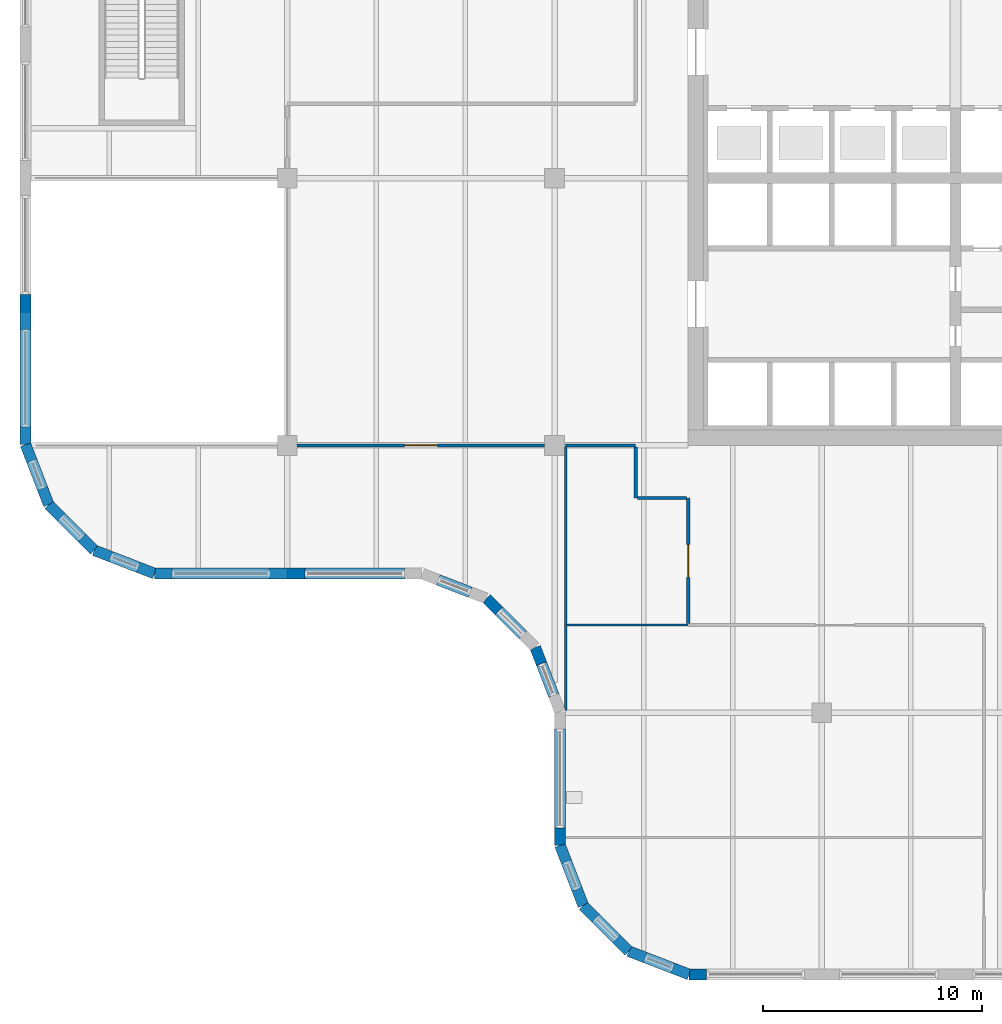
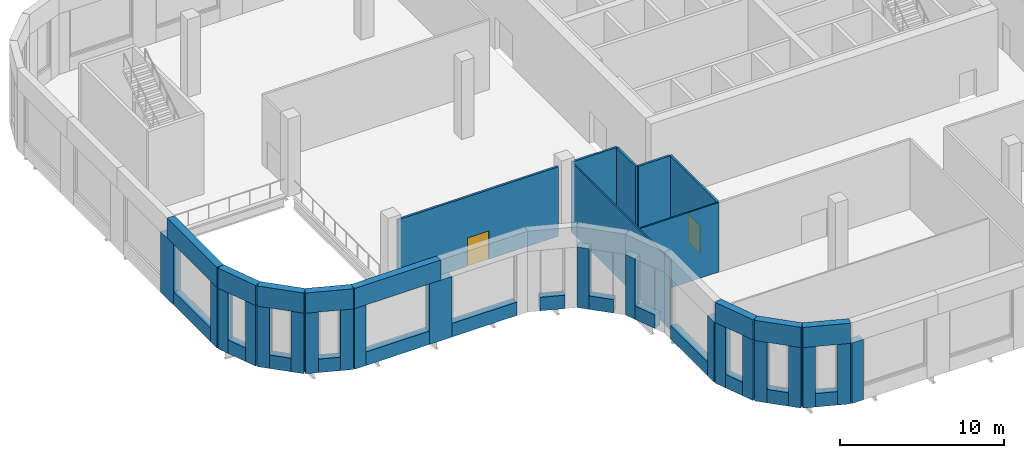
# One storey, part 20 of 36: 48 walls, 2 doors, 2 openings.
"""IFC4 building model written with IfcOpenShell, lengths in metres."""

import ifcopenshell
import ifcopenshell.guid

model = None  # the IFC model being written
_history = None  # IfcOwnerHistory: only IFC2X3 demands one
_inside = {}  # id of a spatial element -> (the spatial element, [elements in it])
_under = {}  # id of a project, library or spatial element -> (it, [spatial elements below it])
_declared = {}  # id of a project -> (the project, [libraries it declares])
_typed = {}  # id of a type object -> (the type object, [elements of that type])
_made_of = {}  # id of a material, layer set ... -> (it, [elements and type objects made of it])


def new_model(schema):
    """Start an empty IFC model of exactly this schema.

    Asked for "IFC4X3", IfcOpenShell would pick the latest addendum, in which some entities
    have other attributes; the version numbers below select the first issue.
    IFC2X3 requires an IfcOwnerHistory on every rooted entity: one is made here for all.
    """
    global model, _history
    if schema == "IFC4X3":
        model = ifcopenshell.file(schema_version=(4, 3, 0, 0))
    else:
        model = ifcopenshell.file(schema=schema)
    _inside.clear()
    _under.clear()
    _declared.clear()
    _typed.clear()
    _made_of.clear()
    _history = None
    if model.schema == "IFC2X3":
        org = make("IfcOrganization", Name="unknown")
        user = make(
            "IfcPersonAndOrganization",
            ThePerson=make("IfcPerson", FamilyName="unknown"),
            TheOrganization=org,
        )
        app = make(
            "IfcApplication",
            ApplicationDeveloper=org,
            Version="unknown",
            ApplicationFullName="unknown",
            ApplicationIdentifier="unknown",
        )
        _history = make(
            "IfcOwnerHistory",
            OwningUser=user,
            OwningApplication=app,
            ChangeAction="ADDED",
            CreationDate=0,
        )
    return model


def make(cls, **values):
    """One entity of the class cls with the attributes given. An attribute that is None is left unset."""
    return model.create_entity(
        cls, **{name: value for name, value in values.items() if value is not None}
    )


def rooted(cls, **values):
    """An entity with a GlobalId (a new one), such as an element, a storey or a relation."""
    return make(cls, GlobalId=ifcopenshell.guid.new(), OwnerHistory=_history, **values)


def si_unit(unit_type, name, prefix=None):
    """IfcSIUnit, for example si_unit("LENGTHUNIT", "METRE", prefix="MILLI")."""
    return make("IfcSIUnit", UnitType=unit_type, Prefix=prefix, Name=name)


def assignment(units):
    """IfcUnitAssignment: the units of a project."""
    return None if units is None else make("IfcUnitAssignment", Units=units)


def point(xyz):
    """IfcCartesianPoint."""
    return None if xyz is None else make("IfcCartesianPoint", Coordinates=xyz)


def direction(xyz):
    """IfcDirection."""
    return None if xyz is None else make("IfcDirection", DirectionRatios=xyz)


def frame(location, z_axis=None, x_axis=None):
    """IfcAxis2Placement3D, a coordinate frame: its origin and axes. An axis left out is left unset."""
    return make(
        "IfcAxis2Placement3D",
        Location=point(location),
        Axis=direction(z_axis),
        RefDirection=direction(x_axis),
    )


def frame_2d(location, x_axis=None):
    """IfcAxis2Placement2D, a coordinate frame in the plane: its origin and x axis."""
    return make(
        "IfcAxis2Placement2D", Location=point(location), RefDirection=direction(x_axis)
    )


def origin():
    """The frame at (0, 0, 0) with its axes left unset."""
    return frame((0.0, 0.0, 0.0))


def place(relative_to, where):
    """IfcLocalPlacement: puts the frame where relative to a parent placement (None: the world)."""
    return make(
        "IfcLocalPlacement", PlacementRelTo=relative_to, RelativePlacement=where
    )


def context(
    kind, dimensions, precision=None, world=None, true_north=None, identifier=None
):
    """IfcGeometricRepresentationContext, for example the 3D "Model" context."""
    return make(
        "IfcGeometricRepresentationContext",
        ContextIdentifier=identifier,
        ContextType=kind,
        CoordinateSpaceDimension=dimensions,
        Precision=precision,
        WorldCoordinateSystem=world,
        TrueNorth=true_north,
    )


def subcontext(parent, identifier, kind, view, scale=None):
    """IfcGeometricRepresentationSubContext, for example "Body" below "Model"."""
    return make(
        "IfcGeometricRepresentationSubContext",
        ContextIdentifier=identifier,
        ContextType=kind,
        ParentContext=parent,
        TargetScale=scale,
        TargetView=view,
    )


def project(units=None, contexts=None):
    """IfcProject with its units and contexts."""
    return rooted(
        "IfcProject",
        Name="project",
        RepresentationContexts=contexts,
        UnitsInContext=assignment(units),
    )


def spatial(cls, under=None, at=None, **own):
    """A site, building, storey or space (cls), placed at a placement, below another one or the project."""
    s = rooted(cls, ObjectPlacement=at, **own)
    if under is not None:
        _under.setdefault(under.id(), (under, []))[1].append(s)
    return s


def polyline(points):
    """IfcPolyline through the points."""
    return make("IfcPolyline", Points=[point(p) for p in points])


def profile(cls, at=None, kind="AREA", **sizes):
    """A parametric profile (cls). Its sizes go by their IFC names, for example OverallWidth=200.0."""
    return make(cls, ProfileType=kind, Position=at, **sizes)


def rectangle(**sizes):
    """IfcRectangleProfileDef."""
    return profile("IfcRectangleProfileDef", **sizes)


def outline(outer, holes=None, kind="AREA"):
    """IfcArbitraryClosedProfileDef: a profile drawn as a closed curve; with holes, ...WithVoids."""
    if holes is None:
        return make("IfcArbitraryClosedProfileDef", ProfileType=kind, OuterCurve=outer)
    return make(
        "IfcArbitraryProfileDefWithVoids",
        ProfileType=kind,
        OuterCurve=outer,
        InnerCurves=holes,
    )


def extrude(swept, where, along, depth):
    """IfcExtrudedAreaSolid: the profile swept, set in the frame where, extruded along a direction by depth."""
    return make(
        "IfcExtrudedAreaSolid",
        SweptArea=swept,
        Position=where,
        ExtrudedDirection=direction(along),
        Depth=depth,
    )


def faces_of(points, faces, orient=None, outer=None):
    """IfcFace entities. A face is a list of loops; a loop is a list of indices into points, from 0.

    orient and outer hold one flag for each loop. By default every Orientation is true, the
    first loop of a face is its IfcFaceOuterBound and the others are IfcFaceBound.
    """
    made = []
    for i, loops in enumerate(faces):
        bounds = []
        for j, loop in enumerate(loops):
            is_outer = j == 0 if outer is None else outer[i][j]
            bounds.append(
                make(
                    "IfcFaceOuterBound" if is_outer else "IfcFaceBound",
                    Bound=make("IfcPolyLoop", Polygon=[points[k] for k in loop]),
                    Orientation=True if orient is None else orient[i][j],
                )
            )
        made.append(make("IfcFace", Bounds=bounds))
    return made


def faceted_brep(points, faces, orient=None, outer=None, voids=None):
    """IfcFacetedBrep: a solid bounded by flat faces; with voids (closed shells), ...WithVoids."""
    shared = [point(p) for p in points]
    hull = make("IfcClosedShell", CfsFaces=faces_of(shared, faces, orient, outer))
    if voids is None:
        return make("IfcFacetedBrep", Outer=hull)
    return make(
        "IfcFacetedBrepWithVoids",
        Outer=hull,
        Voids=[
            make(cls, CfsFaces=faces_of(shared, fs, o, b)) for cls, fs, o, b in voids
        ],
    )


def shape(context_of_items, identifier, shape_type, items):
    """IfcShapeRepresentation: the items that make up one representation, for example the "Body"."""
    return make(
        "IfcShapeRepresentation",
        ContextOfItems=context_of_items,
        RepresentationIdentifier=identifier,
        RepresentationType=shape_type,
        Items=items,
    )


def source(mapping_origin, context_of_items, identifier, shape_type, items):
    """IfcRepresentationMap: a shape defined once, which mapped items show again and again."""
    return make(
        "IfcRepresentationMap",
        MappingOrigin=mapping_origin,
        MappedRepresentation=shape(context_of_items, identifier, shape_type, items),
    )


def transform(
    local_origin,
    x_axis=None,
    y_axis=None,
    z_axis=None,
    scale=None,
    scale2=None,
    scale3=None,
    uniform=True,
):
    """IfcCartesianTransformationOperator3D, or its non-uniform kind. x_axis, y_axis, z_axis: its Axis1, 2, 3."""
    if uniform:
        return make(
            "IfcCartesianTransformationOperator3D",
            Axis1=direction(x_axis),
            Axis2=direction(y_axis),
            LocalOrigin=point(local_origin),
            Scale=scale,
            Axis3=direction(z_axis),
        )
    return make(
        "IfcCartesianTransformationOperator3DnonUniform",
        Axis1=direction(x_axis),
        Axis2=direction(y_axis),
        LocalOrigin=point(local_origin),
        Scale=scale,
        Axis3=direction(z_axis),
        Scale2=scale2,
        Scale3=scale3,
    )


def mapped(mapping_source, mapping_target):
    """IfcMappedItem: shows the shape of a source again, moved by a transform."""
    return make(
        "IfcMappedItem", MappingSource=mapping_source, MappingTarget=mapping_target
    )


def material(Name=None, Category=None):
    """IfcMaterial."""
    return make("IfcMaterial", Name=Name, Category=Category)


def layer(
    of_material, thickness, ventilated=None, Name=None, Category=None, Priority=None
):
    """IfcMaterialLayer: one layer of a wall or slab, of a material (None: an air gap)."""
    return make(
        "IfcMaterialLayer",
        Material=of_material,
        LayerThickness=thickness,
        IsVentilated=ventilated,
        Name=Name,
        Category=Category,
        Priority=Priority,
    )


def layer_set(layers, Name=None):
    """IfcMaterialLayerSet."""
    return make("IfcMaterialLayerSet", MaterialLayers=layers, LayerSetName=Name)


def made_of(thing, what):
    """Note that an element or type object is made of a material, layer set ...; save() writes the relation."""
    if what is not None:
        _made_of.setdefault(what.id(), (what, []))[1].append(thing)
    return thing


def type_object(cls, material=None, **own):
    """A type object (cls), such as IfcWallType, which elements share."""
    return made_of(rooted(cls, **own), material)


def element(
    cls,
    number,
    at=None,
    inside=None,
    cuts=None,
    type_object=None,
    material=None,
    context=None,
    identifier="Body",
    shape_type=None,
    held_by="IfcProductDefinitionShape",
    body=None,
    shapes=None,
    **own,
):
    """One element of the class cls, such as IfcWall. Its Tag is "e" and its number.

    at: its placement. inside: the storey or other place that contains it. cuts: it is an
    opening in that element (IfcRelVoidsElement). A single representation is given by context,
    identifier, shape_type and body (its items); several are given by shapes. held_by: the class
    of the entity that holds the representations. save() writes the other relations.
    """
    e = rooted(cls, Tag="e%d" % number, ObjectPlacement=at, **own)
    if body is not None:
        shapes = [shape(context, identifier, shape_type, body)]
    if shapes is not None:
        e.Representation = make(held_by, Representations=shapes)
    if inside is not None:
        _inside.setdefault(inside.id(), (inside, []))[1].append(e)
    if cuts is not None:
        rooted(
            "IfcRelVoidsElement", RelatingBuildingElement=cuts, RelatedOpeningElement=e
        )
    if type_object is not None:
        _typed.setdefault(type_object.id(), (type_object, []))[1].append(e)
    return made_of(e, material)


def fill(opening, filler):
    """IfcRelFillsElement: the door or window that sits in an opening."""
    return rooted(
        "IfcRelFillsElement",
        RelatingOpeningElement=opening,
        RelatedBuildingElement=filler,
    )


def aggregate(whole, parts):
    """IfcRelAggregates: a whole, such as a stair, and the parts it consists of."""
    return rooted("IfcRelAggregates", RelatingObject=whole, RelatedObjects=parts)


def save(model, path):
    """Write the relations noted so far, then the file.

    IfcRelAggregates (storeys below a building ...), IfcRelContainedInSpatialStructure (elements
    in a storey), IfcRelDefinesByType, IfcRelAssociatesMaterial and IfcRelDeclares: one each for
    every whole, place, type object, material and project.
    """
    for whole, parts in _under.values():
        aggregate(whole, parts)
    for where, things in _inside.values():
        rooted(
            "IfcRelContainedInSpatialStructure",
            RelatedElements=things,
            RelatingStructure=where,
        )
    for kind, things in _typed.values():
        rooted("IfcRelDefinesByType", RelatedObjects=things, RelatingType=kind)
    for what, things in _made_of.values():
        rooted("IfcRelAssociatesMaterial", RelatedObjects=things, RelatingMaterial=what)
    for by, libraries in _declared.values():
        rooted("IfcRelDeclares", RelatingContext=by, RelatedDefinitions=libraries)
    model.write(path)


model = new_model("IFC4")

# Units and contexts
model_context = context("Model", 3, precision=1e-05, world=origin(), true_north=direction((0.0, 1.0)))
body_context = subcontext(model_context, "Body", "Model", "MODEL_VIEW")
ifc_project = project(units=[si_unit("LENGTHUNIT", "METRE"), si_unit("AREAUNIT", "SQUARE_METRE"), si_unit("VOLUMEUNIT", "CUBIC_METRE"), si_unit("PLANEANGLEUNIT", "RADIAN"), si_unit("MASSUNIT", "GRAM", prefix="KILO")], contexts=[model_context])

# Site, building, storey
site_placement = place(None, origin())
site = spatial("IfcSite", under=ifc_project, at=site_placement, CompositionType="ELEMENT")
building_placement = place(site_placement, origin())
building = spatial("IfcBuilding", under=site, at=building_placement, Name="Tessera Gate Towers", CompositionType="ELEMENT")
storey_placement = place(building_placement, frame((0.0, 0.0, 106.60009765625)))
storey = spatial("IfcBuildingStorey", under=building, at=storey_placement, Name="L26", CompositionType="ELEMENT", Elevation=106.60009765625)

# Wall, opening, door
ifc_material_1 = material(Name="Gypsum board on steel studs, mineral wool", Category="steel")
ifc_layer_1 = layer(ifc_material_1, 0.14990234375)
ifc_layer_set_1 = layer_set([ifc_layer_1], Name="CORRIDOR WALL 150")
wall_type_1 = type_object("IfcWallType", Name="CORRIDOR WALL 150", PredefinedType="PARTITIONING", material=ifc_layer_set_1)
wall_1_placement = place(storey_placement, frame((30.5, 16.27587890625, 0.0), z_axis=(0.0, 0.0, 1.0), x_axis=(0.0, 1.0, 0.0)))
wall_1 = element("IfcWall", 1, at=wall_1_placement, inside=storey, type_object=wall_type_1, Name="T1-L26-PW-011", PredefinedType="PARTITIONING", context=body_context, shape_type="SweptSolid", body=[
    extrude(rectangle(XDim=5.72412109375, YDim=0.14990234375, at=frame_2d((2.862060546875, 0.0))), origin(), (0.0, 0.0, 1.0), 5.1669921875),
])
shared_shape_1 = source(origin(), body_context, "Body", "SweptSolid", [
    extrude(rectangle(XDim=1.5, YDim=2.10009765625, at=frame_2d((0.75, 1.050048828125))), frame((0.0, 0.0849609375, 0.0), z_axis=(0.0, -1.0, 0.0), x_axis=(1.0, 0.0, 0.0)), (0.0, 0.0, 1.0), 0.169921875),
])
opening_1_placement = place(wall_1_placement, frame((2.10009765625, 0.0, 0.0)))
opening_1 = element("IfcOpeningElement", 2, at=opening_1_placement, cuts=wall_1, Name="Opening D2150FD60-A33-01", PredefinedType="OPENING", context=body_context, shape_type="MappedRepresentation", body=[
    mapped(shared_shape_1, transform((0.0, 0.0, 0.0), scale=1.0)),
])
ifc_material_2 = material(Name="Timber door leaf in steel frame", Category="steel")
door_type = type_object("IfcDoorType", Name="TENANCY ENTRANCE DOOR 1500 FD60", OperationType="NOTDEFINED", PredefinedType="DOOR", material=ifc_material_2)
shared_shape_2 = source(origin(), body_context, "Body", "SweptSolid", [
    extrude(rectangle(XDim=1.5, YDim=2.10009765625, at=frame_2d((0.75, 1.050048828125))), frame((0.0, 0.02490234375, 0.0), z_axis=(0.0, -1.0, 0.0), x_axis=(1.0, 0.0, 0.0)), (0.0, 0.0, 1.0), 0.050048828125),
])
door_1_placement = place(opening_1_placement, origin())
door_1 = element("IfcDoor", 3, at=door_1_placement, inside=storey, type_object=door_type, Name="T1-L26-PD-001", OperationType="SINGLE_SWING_LEFT", OverallHeight=2.10009765625, OverallWidth=1.5, PredefinedType="DOOR", context=body_context, shape_type="MappedRepresentation", body=[
    mapped(shared_shape_2, transform((0.0, 0.0, 0.0), scale=1.0)),
])
fill(opening_1, door_1)

# Walls
wall_2_placement = place(storey_placement, frame((28.10009765625, 22.0, 0.0), z_axis=(0.0, 0.0, 1.0), x_axis=(0.0, 1.0, 0.0)))
element("IfcWall", 4, at=wall_2_placement, inside=storey, type_object=wall_type_1, Name="T1-L26-PW-013", PredefinedType="PARTITIONING", context=body_context, shape_type="SweptSolid", body=[
    extrude(rectangle(XDim=2.323974609375, YDim=0.14990234375, at=frame_2d((1.162109375, 0.0))), origin(), (0.0, 0.0, 1.0), 5.1669921875),
])
wall_3_placement = place(storey_placement, frame((28.176025390625, 22.0, 0.0), z_axis=(0.0, 0.0, 1.0), x_axis=(1.0, 0.0, 0.0)))
element("IfcWall", 5, at=wall_3_placement, inside=storey, type_object=wall_type_1, Name="T1-L26-PW-014", PredefinedType="PARTITIONING", context=body_context, shape_type="SweptSolid", body=[
    extrude(rectangle(XDim=2.248046875, YDim=0.14990234375, at=frame_2d((1.1240234375, 0.0))), origin(), (0.0, 0.0, 1.0), 5.1669921875),
])

# Wall, opening, door
wall_4_placement = place(storey_placement, frame((23.948974609375, 24.39990234375, 0.0), z_axis=(0.0, 0.0, 1.0), x_axis=(-1.0, 0.0, 0.0)))
wall_4 = element("IfcWall", 6, at=wall_4_placement, inside=storey, type_object=wall_type_1, Name="T1-L26-PW-015", PredefinedType="PARTITIONING", context=body_context, shape_type="SweptSolid", body=[
    extrude(rectangle(XDim=11.298095703125, YDim=0.14990234375, at=frame_2d((5.64892578125, 0.0))), origin(), (0.0, 0.0, 1.0), 5.1669921875),
])
opening_2_placement = place(wall_4_placement, frame((4.89794921875, 0.0, 0.0)))
opening_2 = element("IfcOpeningElement", 7, at=opening_2_placement, cuts=wall_4, Name="Opening D2150FD60-A33-02", PredefinedType="OPENING", context=body_context, shape_type="MappedRepresentation", body=[
    mapped(shared_shape_1, transform((0.0, 0.0, 0.0), scale=1.0)),
])
door_2_placement = place(opening_2_placement, origin())
door_2 = element("IfcDoor", 8, at=door_2_placement, inside=storey, type_object=door_type, Name="T1-L26-PD-010", OperationType="SINGLE_SWING_RIGHT", OverallHeight=2.10009765625, OverallWidth=1.5, PredefinedType="DOOR", context=body_context, shape_type="MappedRepresentation", body=[
    mapped(shared_shape_2, transform((0.0, 0.0, 0.0), scale=1.0)),
])
fill(opening_2, door_2)

# Walls
wall_5_placement = place(storey_placement, frame((24.89990234375, 24.39990234375, 0.0), z_axis=(0.0, 0.0, 1.0), x_axis=(1.0, 0.0, 0.0)))
element("IfcWall", 9, at=wall_5_placement, inside=storey, type_object=wall_type_1, Name="T1-L26-PW-016", PredefinedType="PARTITIONING", context=body_context, shape_type="SweptSolid", body=[
    extrude(rectangle(XDim=3.2001953125, YDim=0.14990234375, at=frame_2d((1.60009765625, 0.0))), origin(), (0.0, 0.0, 1.0), 5.1669921875),
])
ifc_material_3 = material(Name="Gypsum board on steel studs", Category="steel")
ifc_layer_2 = layer(ifc_material_3, 0.10009765625)
ifc_layer_set_2 = layer_set([ifc_layer_2], Name="PARTITION 100")
wall_type_2 = type_object("IfcWallType", Name="PARTITION 100", PredefinedType="PARTITIONING", material=ifc_layer_set_2)
wall_6_placement = place(storey_placement, frame((24.909912109375, 12.293212890625, 0.0), z_axis=(0.0, 0.0, 1.0), x_axis=(0.0, 1.0, 0.0)))
element("IfcWall", 10, at=wall_6_placement, inside=storey, type_object=wall_type_2, Name="T1-L26-PW-006", PredefinedType="PARTITIONING", context=body_context, shape_type="SweptSolid", body=[
    extrude(rectangle(XDim=12.03076171875, YDim=0.10009765625, at=frame_2d((6.015380859375, 0.0))), origin(), (0.0, 0.0, 1.0), 5.1669921875),
])
wall_7_placement = place(storey_placement, frame((24.950927734375, 16.199951171875, 0.0), z_axis=(0.0, 0.0, 1.0), x_axis=(1.0, 0.0, 0.0)))
element("IfcWall", 11, at=wall_7_placement, inside=storey, type_object=wall_type_2, Name="T1-L26-PW-007", PredefinedType="PARTITIONING", context=body_context, shape_type="SweptSolid", body=[
    extrude(rectangle(XDim=5.548095703125, YDim=0.10009765625, at=frame_2d((2.77392578125, 0.0))), origin(), (0.0, 0.0, 1.0), 5.1669921875),
])
ifc_material_4 = material(Name="Precast concrete C60/75 white", Category="concrete")
ifc_layer_3 = layer(ifc_material_4, 0.5)
ifc_layer_set_3 = layer_set([ifc_layer_3], Name="RB1 ring band panel")
wall_type_3 = type_object("IfcWallType", Name="RB1 ring band panel", PredefinedType="SOLIDWALL", material=ifc_layer_set_3)
shared_shape_3 = source(origin(), body_context, "Body", "Brep", [
    faceted_brep([(0.0, -0.25, 0.0), (0.800048828125, -0.25, 0.0), (0.800048828125, -0.25, 4.5), (0.0, -0.25, 4.5), (0.046630859375, 0.25, 4.5), (0.800048828125, 0.25, 4.5), (0.800048828125, 0.25, 0.0), (0.046630859375, 0.25, 0.0), (0.0, 0.0, 0.0), (0.0, 0.0, 4.5)], [[[0, 1, 2, 3]], [[4, 5, 6, 7]], [[7, 6, 1, 0, 8]], [[5, 4, 9, 3, 2]], [[8, 0, 3, 9]], [[7, 8, 9, 4]], [[1, 6, 5, 2]]]),
])
for number, where, z_axis, x_axis, name in (
    (12, (30.546630859375, 0.25, 0.0), (0.0, 0.0, 1.0), (1.0, 0.0, 0.0), "Ring band panel T1 RB1-0097"),
    (13, (6.146484375, 18.550048828125, 0.0), (0.0, 0.0, 1.0), (1.0, 0.0, 0.0), "Ring band panel T1 RB1-0220"),
    (14, (24.64990234375, 6.146484375, 0.0), (0.0, 0.0, 1.0), (0.360103552367, -0.932912338632, 0.0), "Ring band panel T1 RB1-0243"),
):
    element("IfcWall", number, at=place(storey_placement, frame(where, z_axis=z_axis, x_axis=x_axis)), inside=storey, type_object=wall_type_3, Name=name, PredefinedType="SOLIDWALL", context=body_context, shape_type="MappedRepresentation", body=[
        mapped(shared_shape_3, transform((0.0, 0.0, 0.0), scale=1.0)),
    ])
shared_shape_4 = source(origin(), body_context, "Body", "SweptSolid", [
    extrude(outline(polyline([(0.0, 0.0), (1.60009765625, 0.0), (1.60009765625, 4.5), (0.0, 4.5), (0.0, 0.0)])), frame((0.0, 0.25, 0.0), z_axis=(0.0, -1.0, 0.0), x_axis=(1.0, 0.0, 0.0)), (0.0, 0.0, 1.0), 0.5),
])
for number, where, z_axis, x_axis, name in (
    (15, (0.25, 31.300048828125, 0.0), (0.0, 0.0, 1.0), (0.0, -1.0, 0.0), "Ring band panel T1 RB1-0198"),
    (16, (11.39990234375, 18.550048828125, 0.0), (0.0, 0.0, 1.0), (1.0, 0.0, 0.0), "Ring band panel T1 RB1-0221"),
):
    element("IfcWall", number, at=place(storey_placement, frame(where, z_axis=z_axis, x_axis=x_axis)), inside=storey, type_object=wall_type_3, Name=name, PredefinedType="SOLIDWALL", context=body_context, shape_type="MappedRepresentation", body=[
        mapped(shared_shape_4, transform((0.0, 0.0, 0.0), scale=1.0)),
    ])
shared_shape_5 = source(origin(), body_context, "Body", "Brep", [
    faceted_brep([(0.0, -0.25, 0.0), (0.800048828125, -0.25, 0.0), (0.800048828125, -0.25, 4.5), (0.0, -0.25, 4.5), (0.0, 0.25, 4.5), (0.75341796875, 0.25, 4.5), (0.75341796875, 0.25, 0.0), (0.0, 0.25, 0.0), (0.800048828125, -0.000244140625, 0.0), (0.800048828125, -0.000244140625, 4.5)], [[[0, 1, 2, 3]], [[4, 5, 6, 7]], [[7, 6, 8, 1, 0]], [[9, 2, 1, 8]], [[5, 4, 3, 2, 9]], [[4, 7, 0, 3]], [[8, 6, 5, 9]]]),
])
for number, where, z_axis, x_axis, name in (
    (17, (0.25, 25.24658203125, 0.0), (0.0, 0.0, 1.0), (0.0, -1.0, 0.0), "Ring band panel T1 RB1-0199"),
    (18, (24.64990234375, 6.946533203125, 0.0), (0.0, 0.0, 1.0), (0.0, -1.0, 0.0), "Ring band panel T1 RB1-0240"),
    (19, (29.800048828125, 0.537841796875, 0.0), (0.0, 0.0, 1.0), (0.933054335486, -0.359735468129, 0.0), "Ring band panel T1 RB1-0252"),
):
    element("IfcWall", number, at=place(storey_placement, frame(where, z_axis=z_axis, x_axis=x_axis)), inside=storey, type_object=wall_type_3, Name=name, PredefinedType="SOLIDWALL", context=body_context, shape_type="MappedRepresentation", body=[
        mapped(shared_shape_5, transform((0.0, 0.0, 0.0), scale=1.0)),
    ])
shared_shape_6 = source(origin(), body_context, "Body", "SweptSolid", [
    extrude(outline(polyline([(0.0, 0.0), (4.453369140625, 0.0), (4.453369140625, 1.0), (0.0, 1.0), (0.0, 0.0)])), frame((0.0, 0.25, 0.0), z_axis=(0.0, -1.0, 0.0), x_axis=(1.0, 0.0, 0.0)), (0.0, 0.0, 1.0), 0.5),
])
for number, where, z_axis, x_axis, name in (
    (20, (0.25, 29.699951171875, 0.0), (0.0, 0.0, 1.0), (0.0, -1.0, 0.0), "Ring band panel T1 RB1-0206"),
    (21, (6.946533203125, 18.550048828125, 0.0), (0.0, 0.0, 1.0), (1.0, 0.0, 0.0), "Ring band panel T1 RB1-0223"),
):
    element("IfcWall", number, at=place(storey_placement, frame(where, z_axis=z_axis, x_axis=x_axis)), inside=storey, type_object=wall_type_3, Name=name, PredefinedType="SOLIDWALL", context=body_context, shape_type="MappedRepresentation", body=[
        mapped(shared_shape_6, transform((0.0, 0.0, 0.0), scale=1.0)),
    ])
shared_shape_7 = source(origin(), body_context, "Body", "Brep", [
    faceted_brep([(0.0, -0.25, 0.0), (6.053466796875, -0.25, 0.0), (6.053466796875, -0.25, 1.5), (0.0, -0.25, 1.5), (0.046630859375, 0.25, 1.5), (6.053466796875, 0.25, 1.5), (6.053466796875, 0.25, 0.0), (0.046630859375, 0.25, 0.0), (0.0, 0.0, 0.0), (0.0, 0.0, 1.5)], [[[0, 1, 2, 3]], [[4, 5, 6, 7]], [[7, 6, 1, 0, 8]], [[5, 4, 9, 3, 2]], [[8, 0, 3, 9]], [[7, 8, 9, 4]], [[1, 6, 5, 2]]]),
])
wall_8_placement = place(storey_placement, frame((6.146484375, 18.550048828125, 4.5), z_axis=(0.0, 0.0, 1.0), x_axis=(1.0, 0.0, 0.0)))
element("IfcWall", 22, at=wall_8_placement, inside=storey, type_object=wall_type_3, Name="Ring band panel T1 RB1-0224", PredefinedType="SOLIDWALL", context=body_context, shape_type="MappedRepresentation", body=[
    mapped(shared_shape_7, transform((0.0, 0.0, 0.0), scale=1.0)),
])
shared_shape_8 = source(origin(), body_context, "Body", "SweptSolid", [
    extrude(outline(polyline([(0.0, 0.0), (4.5, 0.0), (4.5, 1.0), (0.0, 1.0), (0.0, 0.0)])), frame((0.0, 0.25, 0.0), z_axis=(0.0, -1.0, 0.0), x_axis=(1.0, 0.0, 0.0)), (0.0, 0.0, 1.0), 0.5),
])
wall_9_placement = place(storey_placement, frame((24.64990234375, 11.446533203125, 0.0), z_axis=(0.0, 0.0, 1.0), x_axis=(0.0, -1.0, 0.0)))
element("IfcWall", 23, at=wall_9_placement, inside=storey, type_object=wall_type_3, Name="Ring band panel T1 RB1-0241", PredefinedType="SOLIDWALL", context=body_context, shape_type="MappedRepresentation", body=[
    mapped(shared_shape_8, transform((0.0, 0.0, 0.0), scale=1.0)),
])
shared_shape_9 = source(origin(), body_context, "Body", "Brep", [
    faceted_brep([(0.0, -0.25, 0.0), (6.053466796875, -0.25, 0.0), (6.053466796875, -0.25, 1.5), (0.0, -0.25, 1.5), (0.0, 0.25, 1.5), (6.0068359375, 0.25, 1.5), (6.0068359375, 0.25, 0.0), (0.0, 0.25, 0.0), (6.053466796875, 0.0, 0.0), (6.053466796875, 0.0, 1.5)], [[[0, 1, 2, 3]], [[4, 5, 6, 7]], [[7, 6, 8, 1, 0]], [[9, 2, 1, 8]], [[5, 4, 3, 2, 9]], [[4, 7, 0, 3]], [[8, 6, 5, 9]]]),
])
wall_10_placement = place(storey_placement, frame((0.25, 30.5, 4.5), z_axis=(0.0, 0.0, 1.0), x_axis=(0.0, -1.0, 0.0)))
element("IfcWall", 24, at=wall_10_placement, inside=storey, type_object=wall_type_3, Name="Ring band panel T1 RB1-0207", PredefinedType="SOLIDWALL", context=body_context, shape_type="MappedRepresentation", body=[
    mapped(shared_shape_9, transform((0.0, 0.0, 0.0), scale=1.0)),
])
shared_shape_10 = source(origin(), body_context, "Body", "Brep", [
    faceted_brep([(0.0, -0.25, 0.0), (0.800048828125, -0.25, 0.0), (0.800048828125, -0.25, 4.5), (0.0, -0.25, 4.5), (0.046630859375, 0.25, 4.5), (0.800048828125, 0.25, 4.5), (0.800048828125, 0.25, 0.0), (0.046630859375, 0.25, 0.0), (0.0, 0.0, 0.0), (0.0, 0.0, 4.5)], [[[0, 1, 2, 3]], [[4, 5, 6, 7]], [[7, 6, 1, 0, 8]], [[5, 4, 9, 3, 2]], [[8, 0, 3, 9]], [[7, 8, 9, 4]], [[1, 6, 5, 2]]]),
])
wall_11_placement = place(storey_placement, frame((0.25, 24.446533203125, 0.0), z_axis=(0.0, 0.0, 1.0), x_axis=(0.3598379092, -0.93301483327, 0.0)))
element("IfcWall", 25, at=wall_11_placement, inside=storey, type_object=wall_type_3, Name="Ring band panel T1 RB1-0208", PredefinedType="SOLIDWALL", context=body_context, shape_type="MappedRepresentation", body=[
    mapped(shared_shape_10, transform((0.0, 0.0, 0.0), scale=1.0)),
])
shared_shape_11 = source(origin(), body_context, "Body", "Brep", [
    faceted_brep([(0.0, -0.25, 0.0), (0.800048828125, -0.25, 0.0), (0.800048828125, -0.25, 4.5), (0.0, -0.25, 4.5), (0.0, 0.25, 4.5), (0.7470703125, 0.25, 4.5), (0.7470703125, 0.25, 0.0), (0.0, 0.25, 0.0), (0.800048828125, -0.000244140625, 0.0), (0.800048828125, -0.000244140625, 4.5)], [[[0, 1, 2, 3]], [[4, 5, 6, 7]], [[7, 6, 8, 1, 0]], [[9, 2, 1, 8]], [[5, 4, 3, 2, 9]], [[4, 7, 0, 3]], [[8, 6, 5, 9]]]),
])
for number, where, z_axis, x_axis, name in (
    (26, (2.828125, 20.177490234375, 0.0), (0.0, 0.0, 1.0), (0.707106781187, -0.707106781187, 0.0), "Ring band panel T1 RB1-0213"),
    (27, (27.22802734375, 1.877685546875, 0.0), (0.0, 0.0, 1.0), (0.706954206636, -0.707259322823, 0.0), "Ring band panel T1 RB1-0248"),
):
    element("IfcWall", number, at=place(storey_placement, frame(where, z_axis=z_axis, x_axis=x_axis)), inside=storey, type_object=wall_type_3, Name=name, PredefinedType="SOLIDWALL", context=body_context, shape_type="MappedRepresentation", body=[
        mapped(shared_shape_11, transform((0.0, 0.0, 0.0), scale=1.0)),
    ])
shared_shape_12 = source(origin(), body_context, "Body", "SweptSolid", [
    extrude(outline(polyline([(0.0, 0.0), (1.3505859375, 0.0), (1.3505859375, 1.0), (0.0, 1.0), (0.0, 0.0)])), frame((0.0, 0.25, 0.0), z_axis=(0.0, -1.0, 0.0), x_axis=(1.0, 0.0, 0.0)), (0.0, 0.0, 1.0), 0.5),
])
for number, where, z_axis, x_axis, name in (
    (28, (0.537841796875, 23.7001953125, 0.0), (0.0, 0.0, 1.0), (0.359923772835, -0.932981713512, 0.0), "Ring band panel T1 RB1-0210"),
    (29, (4.14013671875, 19.323974609375, 0.0), (0.0, 0.0, 1.0), (0.932981713512, -0.359923772835, 0.0), "Ring band panel T1 RB1-0218"),
    (30, (24.93798828125, 5.400146484375, 0.0), (0.0, 0.0, 1.0), (0.359923772835, -0.932981713512, 0.0), "Ring band panel T1 RB1-0245"),
    (31, (28.5400390625, 1.02392578125, 0.0), (0.0, 0.0, 1.0), (0.932981713512, -0.359923772835, 0.0), "Ring band panel T1 RB1-0253"),
):
    element("IfcWall", number, at=place(storey_placement, frame(where, z_axis=z_axis, x_axis=x_axis)), inside=storey, type_object=wall_type_3, Name=name, PredefinedType="SOLIDWALL", context=body_context, shape_type="MappedRepresentation", body=[
        mapped(shared_shape_12, transform((0.0, 0.0, 0.0), scale=1.0)),
    ])
shared_shape_13 = source(origin(), body_context, "Body", "Brep", [
    faceted_brep([(0.0, -0.25, 0.0), (2.950439453125, -0.25, 0.0), (2.950439453125, -0.25, 1.5), (0.0, -0.25, 1.5), (0.046630859375, 0.25, 1.5), (2.897705078125, 0.25, 1.5), (2.897705078125, 0.25, 0.0), (0.046630859375, 0.25, 0.0), (2.950439453125, 0.00048828125, 0.0), (0.0, 0.0, 0.0), (2.950439453125, 0.00048828125, 1.5), (0.0, 0.0, 1.5)], [[[0, 1, 2, 3]], [[4, 5, 6, 7]], [[7, 6, 8, 1, 0, 9]], [[10, 2, 1, 8]], [[5, 4, 11, 3, 2, 10]], [[9, 0, 3, 11]], [[7, 9, 11, 4]], [[8, 6, 5, 10]]]),
])
for number, where, z_axis, x_axis, name in (
    (32, (0.25, 24.446533203125, 4.5), (0.0, 0.0, 1.0), (0.359877213415, -0.932999673775, 0.0), "Ring band panel T1 RB1-0211"),
    (33, (24.64990234375, 6.146484375, 4.5), (0.0, 0.0, 1.0), (0.359949242603, -0.932971887438, 0.0), "Ring band panel T1 RB1-0246"),
):
    element("IfcWall", number, at=place(storey_placement, frame(where, z_axis=z_axis, x_axis=x_axis)), inside=storey, type_object=wall_type_3, Name=name, PredefinedType="SOLIDWALL", context=body_context, shape_type="MappedRepresentation", body=[
        mapped(shared_shape_13, transform((0.0, 0.0, 0.0), scale=1.0)),
    ])
shared_shape_14 = source(origin(), body_context, "Body", "Brep", [
    faceted_brep([(0.0, -0.25, 0.0), (0.800048828125, -0.25, 0.0), (0.800048828125, -0.25, 4.5), (0.0, -0.25, 4.5), (0.052978515625, 0.25, 4.5), (0.800048828125, 0.25, 4.5), (0.800048828125, 0.25, 0.0), (0.052978515625, 0.25, 0.0), (0.0, 0.0, 0.0), (0.0, 0.0, 4.5)], [[[0, 1, 2, 3]], [[4, 5, 6, 7]], [[7, 6, 1, 0, 8]], [[5, 4, 9, 3, 2]], [[8, 0, 3, 9]], [[7, 8, 9, 4]], [[1, 6, 5, 2]]]),
])
for number, where, z_axis, x_axis, name in (
    (34, (1.31201171875, 21.69384765625, 0.0), (0.0, 0.0, 1.0), (0.706954206636, -0.707259322823, 0.0), "Ring band panel T1 RB1-0212"),
    (35, (25.7119140625, 3.393798828125, 0.0), (0.0, 0.0, 1.0), (0.707106781187, -0.707106781187, 0.0), "Ring band panel T1 RB1-0247"),
):
    element("IfcWall", number, at=place(storey_placement, frame(where, z_axis=z_axis, x_axis=x_axis)), inside=storey, type_object=wall_type_3, Name=name, PredefinedType="SOLIDWALL", context=body_context, shape_type="MappedRepresentation", body=[
        mapped(shared_shape_14, transform((0.0, 0.0, 0.0), scale=1.0)),
    ])
shared_shape_15 = source(origin(), body_context, "Body", "SweptSolid", [
    extrude(outline(polyline([(0.0, 0.0), (1.34423828125, 0.0), (1.34423828125, 1.0), (0.0, 1.0), (0.0, 0.0)])), frame((0.0, 0.25, 0.0), z_axis=(0.0, -1.0, 0.0), x_axis=(1.0, 0.0, 0.0)), (0.0, 0.0, 1.0), 0.5),
])
for number, where, z_axis, x_axis, name in (
    (36, (1.877685546875, 21.1279296875, 0.0), (0.0, 0.0, 1.0), (0.707106781187, -0.707106781187, 0.0), "Ring band panel T1 RB1-0214"),
    (37, (26.277587890625, 2.828125, 0.0), (0.0, 0.0, 1.0), (0.707106781187, -0.707106781187, 0.0), "Ring band panel T1 RB1-0249"),
):
    element("IfcWall", number, at=place(storey_placement, frame(where, z_axis=z_axis, x_axis=x_axis)), inside=storey, type_object=wall_type_3, Name=name, PredefinedType="SOLIDWALL", context=body_context, shape_type="MappedRepresentation", body=[
        mapped(shared_shape_15, transform((0.0, 0.0, 0.0), scale=1.0)),
    ])
shared_shape_16 = source(origin(), body_context, "Body", "Brep", [
    faceted_brep([(0.0, -0.25, 0.0), (2.944091796875, -0.25, 0.0), (2.944091796875, -0.25, 1.5), (0.0, -0.25, 1.5), (0.052978515625, 0.25, 1.5), (2.89111328125, 0.25, 1.5), (2.89111328125, 0.25, 0.0), (0.052978515625, 0.25, 0.0), (2.944091796875, 0.000244140625, 0.0), (0.0, 0.0, 0.0), (2.944091796875, 0.000244140625, 1.5), (0.0, 0.0, 1.5)], [[[0, 1, 2, 3]], [[4, 5, 6, 7]], [[7, 6, 8, 1, 0, 9]], [[10, 2, 1, 8]], [[5, 4, 11, 3, 2, 10]], [[9, 0, 3, 11]], [[7, 9, 11, 4]], [[8, 6, 5, 10]]]),
])
for number, where, z_axis, x_axis, name in (
    (38, (1.31201171875, 21.69384765625, 4.5), (0.0, 0.0, 1.0), (0.707106781187, -0.707106781187, 0.0), "Ring band panel T1 RB1-0215"),
    (39, (25.7119140625, 3.393798828125, 4.5), (0.0, 0.0, 1.0), (0.707106781187, -0.707106781187, 0.0), "Ring band panel T1 RB1-0250"),
):
    element("IfcWall", number, at=place(storey_placement, frame(where, z_axis=z_axis, x_axis=x_axis)), inside=storey, type_object=wall_type_3, Name=name, PredefinedType="SOLIDWALL", context=body_context, shape_type="MappedRepresentation", body=[
        mapped(shared_shape_16, transform((0.0, 0.0, 0.0), scale=1.0)),
    ])
shared_shape_17 = source(origin(), body_context, "Body", "Brep", [
    faceted_brep([(0.0, -0.25, 0.0), (0.800048828125, -0.25, 0.0), (0.800048828125, -0.25, 4.5), (0.0, -0.25, 4.5), (0.0, 0.25, 4.5), (0.75341796875, 0.25, 4.5), (0.75341796875, 0.25, 0.0), (0.0, 0.25, 0.0), (0.800048828125, -0.000244140625, 0.0), (0.800048828125, -0.000244140625, 4.5)], [[[0, 1, 2, 3]], [[4, 5, 6, 7]], [[7, 6, 8, 1, 0]], [[9, 2, 1, 8]], [[5, 4, 3, 2, 9]], [[4, 7, 0, 3]], [[8, 6, 5, 9]]]),
])
wall_12_placement = place(storey_placement, frame((5.400146484375, 18.837890625, 0.0), z_axis=(0.0, 0.0, 1.0), x_axis=(0.93301483327, -0.3598379092, 0.0)))
element("IfcWall", 40, at=wall_12_placement, inside=storey, type_object=wall_type_3, Name="Ring band panel T1 RB1-0217", PredefinedType="SOLIDWALL", context=body_context, shape_type="MappedRepresentation", body=[
    mapped(shared_shape_17, transform((0.0, 0.0, 0.0), scale=1.0)),
])
shared_shape_18 = source(origin(), body_context, "Body", "Brep", [
    faceted_brep([(0.0, -0.25, 0.0), (2.950439453125, -0.25, 0.0), (2.950439453125, -0.25, 1.5), (0.0, -0.25, 1.5), (0.052978515625, 0.25, 1.5), (2.904052734375, 0.25, 1.5), (2.904052734375, 0.25, 0.0), (0.052978515625, 0.25, 0.0), (2.950439453125, 0.00048828125, 0.0), (0.0, 0.0, 0.0), (2.950439453125, 0.00048828125, 1.5), (0.0, 0.0, 1.5)], [[[0, 1, 2, 3]], [[4, 5, 6, 7]], [[7, 6, 8, 1, 0, 9]], [[10, 2, 1, 8]], [[5, 4, 11, 3, 2, 10]], [[9, 0, 3, 11]], [[7, 9, 11, 4]], [[8, 6, 5, 10]]]),
])
for number, where, z_axis, x_axis, name in (
    (41, (3.393798828125, 19.61181640625, 4.5), (0.0, 0.0, 1.0), (0.932999673775, -0.359877213415, 0.0), "Ring band panel T1 RB1-0219"),
    (42, (27.793701171875, 1.31201171875, 4.5), (0.0, 0.0, 1.0), (0.932971887438, -0.359949242603, 0.0), "Ring band panel T1 RB1-0254"),
):
    element("IfcWall", number, at=place(storey_placement, frame(where, z_axis=z_axis, x_axis=x_axis)), inside=storey, type_object=wall_type_3, Name=name, PredefinedType="SOLIDWALL", context=body_context, shape_type="MappedRepresentation", body=[
        mapped(shared_shape_18, transform((0.0, 0.0, 0.0), scale=1.0)),
    ])
shared_shape_19 = source(origin(), body_context, "Body", "Brep", [
    faceted_brep([(0.0, -0.25, 0.0), (0.800048828125, -0.25, 0.0), (0.800048828125, -0.25, 4.5), (0.0, -0.25, 4.5), (0.0, 0.25, 4.5), (0.7470703125, 0.25, 4.5), (0.7470703125, 0.25, 0.0), (0.0, 0.25, 0.0), (0.800048828125, -0.000244140625, 0.0), (0.800048828125, -0.000244140625, 4.5)], [[[0, 1, 2, 3]], [[4, 5, 6, 7]], [[7, 6, 8, 1, 0]], [[9, 2, 1, 8]], [[5, 4, 3, 2, 9]], [[4, 7, 0, 3]], [[8, 6, 5, 9]]]),
])
wall_13_placement = place(storey_placement, frame((1.02392578125, 22.440185546875, 0.0), z_axis=(0.0, 0.0, 1.0), x_axis=(0.360001058183, -0.932951894851, 0.0)))
element("IfcWall", 43, at=wall_13_placement, inside=storey, type_object=wall_type_3, Name="Ring band panel T1 RB1-0209", PredefinedType="SOLIDWALL", context=body_context, shape_type="MappedRepresentation", body=[
    mapped(shared_shape_19, transform((0.0, 0.0, 0.0), scale=1.0)),
])
shared_shape_20 = source(origin(), body_context, "Body", "Brep", [
    faceted_brep([(0.0, -0.25, 0.0), (0.800048828125, -0.25, 0.0), (0.800048828125, -0.25, 4.5), (0.0, -0.25, 4.5), (0.052978515625, 0.25, 4.5), (0.800048828125, 0.25, 4.5), (0.800048828125, 0.25, 0.0), (0.052978515625, 0.25, 0.0), (0.0, 0.0, 0.0), (0.0, 0.0, 4.5)], [[[0, 1, 2, 3]], [[4, 5, 6, 7]], [[7, 6, 1, 0, 8]], [[5, 4, 9, 3, 2]], [[8, 0, 3, 9]], [[7, 8, 9, 4]], [[1, 6, 5, 2]]]),
])
wall_14_placement = place(storey_placement, frame((3.393798828125, 19.61181640625, 0.0), z_axis=(0.0, 0.0, 1.0), x_axis=(0.93301483327, -0.3598379092, 0.0)))
element("IfcWall", 44, at=wall_14_placement, inside=storey, type_object=wall_type_3, Name="Ring band panel T1 RB1-0216", PredefinedType="SOLIDWALL", context=body_context, shape_type="MappedRepresentation", body=[
    mapped(shared_shape_20, transform((0.0, 0.0, 0.0), scale=1.0)),
])
shared_shape_21 = source(origin(), body_context, "Body", "Brep", [
    faceted_brep([(0.0, -0.25, 0.0), (0.800048828125, -0.25, 0.0), (0.800048828125, -0.25, 4.5), (0.0, -0.25, 4.5), (0.0, 0.25, 4.5), (0.7470703125, 0.25, 4.5), (0.7470703125, 0.25, 0.0), (0.0, 0.25, 0.0), (0.800048828125, -0.000244140625, 0.0), (0.800048828125, -0.000244140625, 4.5)], [[[0, 1, 2, 3]], [[4, 5, 6, 7]], [[7, 6, 8, 1, 0]], [[9, 2, 1, 8]], [[5, 4, 3, 2, 9]], [[4, 7, 0, 3]], [[8, 6, 5, 9]]]),
])
wall_15_placement = place(storey_placement, frame((25.424072265625, 4.14013671875, 0.0), z_axis=(0.0, 0.0, 1.0), x_axis=(0.3598379092, -0.93301483327, 0.0)))
element("IfcWall", 45, at=wall_15_placement, inside=storey, type_object=wall_type_3, Name="Ring band panel T1 RB1-0244", PredefinedType="SOLIDWALL", context=body_context, shape_type="MappedRepresentation", body=[
    mapped(shared_shape_21, transform((0.0, 0.0, 0.0), scale=1.0)),
])
shared_shape_22 = source(origin(), body_context, "Body", "Brep", [
    faceted_brep([(0.0, -0.25, 0.0), (0.800048828125, -0.25, 0.0), (0.800048828125, -0.25, 4.5), (0.0, -0.25, 4.5), (0.052978515625, 0.25, 4.5), (0.800048828125, 0.25, 4.5), (0.800048828125, 0.25, 0.0), (0.052978515625, 0.25, 0.0), (0.0, 0.0, 0.0), (0.0, 0.0, 4.5)], [[[0, 1, 2, 3]], [[4, 5, 6, 7]], [[7, 6, 1, 0, 8]], [[5, 4, 9, 3, 2]], [[8, 0, 3, 9]], [[7, 8, 9, 4]], [[1, 6, 5, 2]]]),
])
wall_16_placement = place(storey_placement, frame((27.793701171875, 1.31201171875, 0.0), z_axis=(0.0, 0.0, 1.0), x_axis=(0.932951894851, -0.360001058183, 0.0)))
element("IfcWall", 46, at=wall_16_placement, inside=storey, type_object=wall_type_3, Name="Ring band panel T1 RB1-0251", PredefinedType="SOLIDWALL", context=body_context, shape_type="MappedRepresentation", body=[
    mapped(shared_shape_22, transform((0.0, 0.0, 0.0), scale=1.0)),
])
shared_shape_23 = source(origin(), body_context, "Body", "SweptSolid", [
    extrude(outline(polyline([(0.0, 0.0), (4.546630859375, 0.0), (4.546630859375, 1.0), (0.0, 1.0), (0.0, 0.0)])), frame((0.0, 0.25, 0.0), z_axis=(0.0, -1.0, 0.0), x_axis=(1.0, 0.0, 0.0)), (0.0, 0.0, 1.0), 0.5),
])
wall_17_placement = place(storey_placement, frame((13.0, 18.550048828125, 0.0), z_axis=(0.0, 0.0, 1.0), x_axis=(1.0, 0.0, 0.0)))
element("IfcWall", 47, at=wall_17_placement, inside=storey, type_object=wall_type_3, Name="Ring band panel T1 RB1-0225", PredefinedType="SOLIDWALL", context=body_context, shape_type="MappedRepresentation", body=[
    mapped(shared_shape_23, transform((0.0, 0.0, 0.0), scale=1.0)),
])
shared_shape_24 = source(origin(), body_context, "Body", "Brep", [
    faceted_brep([(0.0, -0.25, 0.0), (1.54931640625, -0.25, 0.0), (1.54931640625, -0.25, 1.0), (0.0, -0.25, 1.0), (0.0, 0.25, 1.0), (1.54931640625, 0.25, 1.0), (1.54931640625, 0.25, 0.0), (0.0, 0.25, 0.0)], [[[0, 1, 2, 3]], [[4, 5, 6, 7]], [[7, 6, 1, 0]], [[5, 4, 3, 2]], [[4, 7, 0, 3]], [[1, 6, 5, 2]]]),
])
for number, where, z_axis, x_axis, name in (
    (48, (19.093017578125, 18.261962890625, 0.0), (0.0, 0.0, 1.0), (0.932991832426, -0.359897541845, 0.0), "Ring band panel T1 RB1-0229"),
    (49, (23.804443359375, 14.4384765625, 0.0), (0.0, 0.0, 1.0), (0.359897541845, -0.932991832426, 0.0), "Ring band panel T1 RB1-0237"),
):
    element("IfcWall", number, at=place(storey_placement, frame(where, z_axis=z_axis, x_axis=x_axis)), inside=storey, type_object=wall_type_3, Name=name, PredefinedType="SOLIDWALL", context=body_context, shape_type="MappedRepresentation", body=[
        mapped(shared_shape_24, transform((0.0, 0.0, 0.0), scale=1.0)),
    ])
shared_shape_25 = source(origin(), body_context, "Body", "Brep", [
    faceted_brep([(0.052978515625, -0.25, 0.0), (0.800048828125, -0.25, 0.0), (0.800048828125, -0.25, 4.5), (0.052978515625, -0.25, 4.5), (0.0, 0.25, 4.5), (0.800048828125, 0.25, 4.5), (0.800048828125, 0.25, 0.0), (0.0, 0.25, 0.0), (0.0, 0.0, 0.0), (0.0, 0.0, 4.5)], [[[0, 1, 2, 3]], [[4, 5, 6, 7]], [[7, 6, 1, 0, 8]], [[5, 4, 9, 3, 2]], [[4, 7, 8, 9]], [[8, 0, 3, 9]], [[1, 6, 5, 2]]]),
])
for number, where, z_axis, x_axis, name in (
    (50, (21.284912109375, 17.41650390625, 0.0), (0.0, 0.0, 1.0), (0.707106781187, -0.707106781187, 0.0), "Ring band panel T1 RB1-0231"),
    (51, (23.5166015625, 15.18505859375, 0.0), (0.0, 0.0, 1.0), (0.359735468129, -0.933054335486, 0.0), "Ring band panel T1 RB1-0235"),
):
    element("IfcWall", number, at=place(storey_placement, frame(where, z_axis=z_axis, x_axis=x_axis)), inside=storey, type_object=wall_type_3, Name=name, PredefinedType="SOLIDWALL", context=body_context, shape_type="MappedRepresentation", body=[
        mapped(shared_shape_25, transform((0.0, 0.0, 0.0), scale=1.0)),
    ])
shared_shape_26 = source(origin(), body_context, "Body", "SweptSolid", [
    extrude(outline(polyline([(0.0, 0.0), (1.555908203125, 0.0), (1.555908203125, 1.0), (0.0, 1.0), (0.0, 0.0)])), frame((0.0, 0.25, 0.0), z_axis=(0.0, -1.0, 0.0), x_axis=(1.0, 0.0, 0.0)), (0.0, 0.0, 1.0), 0.5),
])
wall_18_placement = place(storey_placement, frame((21.8505859375, 16.850830078125, 0.0), z_axis=(0.0, 0.0, 1.0), x_axis=(0.707185230931, -0.707028322737, 0.0)))
element("IfcWall", 52, at=wall_18_placement, inside=storey, type_object=wall_type_3, Name="Ring band panel T1 RB1-0233", PredefinedType="SOLIDWALL", context=body_context, shape_type="MappedRepresentation", body=[
    mapped(shared_shape_26, transform((0.0, 0.0, 0.0), scale=1.0)),
])

save(model, "model.ifc")
